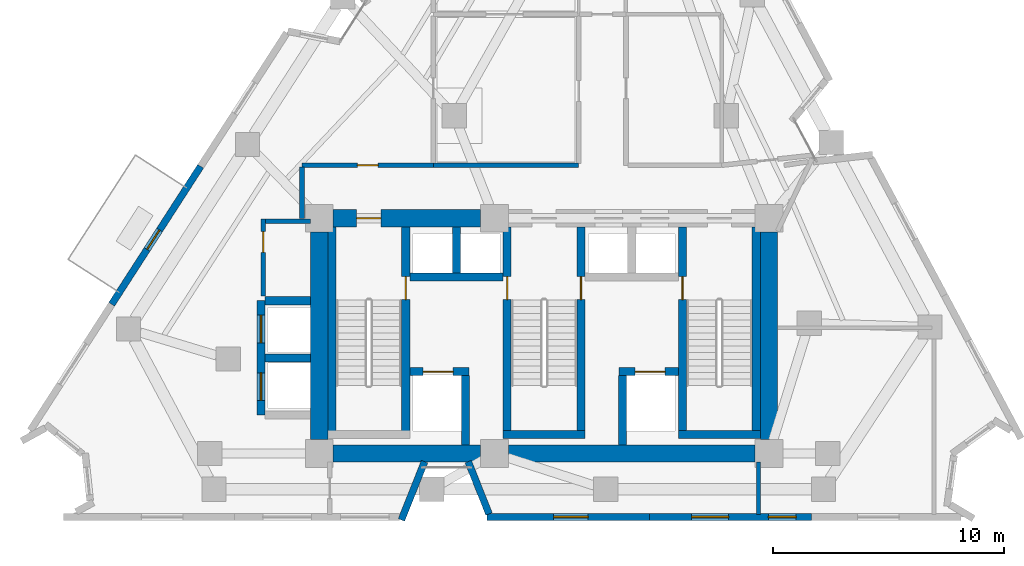
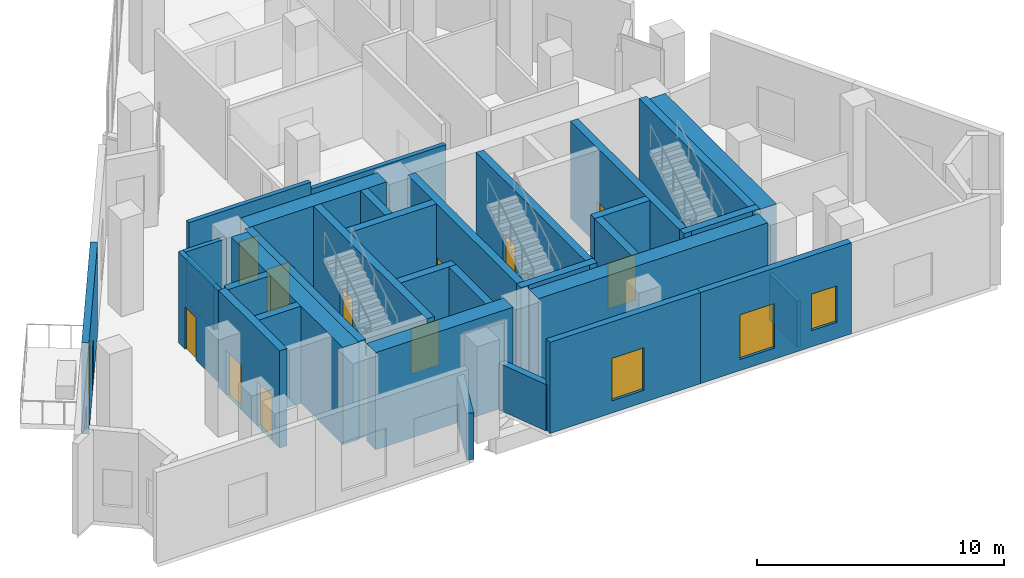
# One storey, part 6 of 10: 33 walls, 12 doors, 3 windows, 15 openings.
"""IFC4 building model written with IfcOpenShell, lengths in metres."""

from ifc_helpers import new_model, si_unit, direction, frame, frame_2d, origin, place, context, subcontext, project, spatial, rectangle, extrude, material, layer, layer_set, type_object, element, fill, save


model = new_model("IFC4")

# Units and contexts
model_context = context("Model", 3, precision=1e-05, world=origin(), true_north=direction((0.0, 1.0)))
body_context = subcontext(model_context, "Body", "Model", "MODEL_VIEW")
ifc_project = project(units=[si_unit("LENGTHUNIT", "METRE"), si_unit("AREAUNIT", "SQUARE_METRE"), si_unit("VOLUMEUNIT", "CUBIC_METRE"), si_unit("PLANEANGLEUNIT", "RADIAN"), si_unit("MASSUNIT", "GRAM", prefix="KILO")], contexts=[model_context])

# Site, building, storey
site_placement = place(None, origin())
site = spatial("IfcSite", under=ifc_project, at=site_placement, CompositionType="ELEMENT")
building_placement = place(site_placement, origin())
building = spatial("IfcBuilding", under=site, at=building_placement, Name="Almagre Mirador Tower", CompositionType="ELEMENT")
storey_placement = place(building_placement, frame((0.0, 0.0, 196.800048828125)))
storey = spatial("IfcBuildingStorey", under=building, at=storey_placement, Name="L51", CompositionType="ELEMENT", Elevation=196.800048828125)

# Wall, openings, windows
ifc_material_1 = material(Name="Precast concrete C50/60", Category="concrete")
ifc_layer_1 = layer(ifc_material_1, 0.300048828125)
ifc_layer_set_1 = layer_set([ifc_layer_1], Name="Precast concrete C50/60")
wall_type_1 = type_object("IfcWallType", Name="WAL-EXT-300", PredefinedType="SOLIDWALL", material=ifc_layer_set_1)
wall_1_placement = place(storey_placement, frame((48.9013671875, 1.800048828125, 0.0), z_axis=(0.0, 0.0, 1.0), x_axis=(-1.0, 0.0, 0.0)))
wall_1 = element("IfcWall", 1, at=wall_1_placement, inside=storey, type_object=wall_type_1, Name="L51 expressed almagre precast frame wall 18", PredefinedType="SOLIDWALL", context=body_context, shape_type="SweptSolid", body=[
    extrude(rectangle(XDim=7.03857421875, YDim=0.300048828125, at=frame_2d((3.519287109375, 0.0))), origin(), (0.0, 0.0, 1.0), 4.5),
])
opening_1_placement = place(wall_1_placement, frame((3.60009765625, 0.0, 0.550048828125)))
opening_1 = element("IfcOpeningElement", 2, at=opening_1_placement, cuts=wall_1, Name="Opening WN-06", PredefinedType="OPENING", context=body_context, shape_type="SweptSolid", body=[
    extrude(rectangle(XDim=1.60009765625, YDim=2.199951171875, at=frame_2d((0.800048828125, 1.10009765625))), frame((0.0, 0.159902, 0.0), z_axis=(0.0, -1.0, 0.0), x_axis=(1.0, 0.0, 0.0)), (0.0, 0.0, 1.0), 0.320049),
])
opening_2_placement = place(wall_1_placement, frame((0.675048828125, 0.0, 0.800048828125)))
opening_2 = element("IfcOpeningElement", 3, at=opening_2_placement, cuts=wall_1, Name="Opening WN-04", PredefinedType="OPENING", context=body_context, shape_type="SweptSolid", body=[
    extrude(rectangle(XDim=1.199951171875, YDim=1.800048828125, at=frame_2d((0.60009765625, 0.89990234375))), frame((0.0, 0.159902, 0.0), z_axis=(0.0, -1.0, 0.0), x_axis=(1.0, 0.0, 0.0)), (0.0, 0.0, 1.0), 0.320049),
])
ifc_material_2 = material(Name="Dark solar-control laminated hurricane glass", Category="glass")
window_type_1 = type_object("IfcWindowType", Name="WIN-1200X1800", PartitioningType="SINGLE_PANEL", PredefinedType="WINDOW", material=ifc_material_2)
window_1_placement = place(opening_2_placement, origin())
window_1 = element("IfcWindow", 4, at=window_1_placement, inside=storey, type_object=window_type_1, Name="L51 recessed hurricane window L51-SCAF-2", OverallHeight=1.800048828125, OverallWidth=1.199951171875, PartitioningType="SINGLE_PANEL", PredefinedType="WINDOW", context=body_context, shape_type="SweptSolid", body=[
    extrude(rectangle(XDim=1.199951171875, YDim=1.800048828125, at=frame_2d((0.60009765625, 0.89990234375))), frame((0.0, 0.030029296875, 0.0), z_axis=(0.0, -1.0, 0.0), x_axis=(1.0, 0.0, 0.0)), (0.0, 0.0, 1.0), 0.06005859375),
])
fill(opening_2, window_1)
ifc_material_3 = material(Name="Dark solar-control laminated hurricane glass", Category="glass")
window_type_2 = type_object("IfcWindowType", Name="WIN-1600X2200", PartitioningType="DOUBLE_PANEL_VERTICAL", PredefinedType="WINDOW", material=ifc_material_3)
window_2_placement = place(opening_1_placement, origin())
window_2 = element("IfcWindow", 5, at=window_2_placement, inside=storey, type_object=window_type_2, Name="L51 recessed hurricane window L51-SCAF", OverallHeight=2.199951171875, OverallWidth=1.60009765625, PartitioningType="SINGLE_PANEL", PredefinedType="WINDOW", context=body_context, shape_type="SweptSolid", body=[
    extrude(rectangle(XDim=1.60009765625, YDim=2.199951171875, at=frame_2d((0.800048828125, 1.10009765625))), frame((0.0, 0.030029296875, 0.0), z_axis=(0.0, -1.0, 0.0), x_axis=(1.0, 0.0, 0.0)), (0.0, 0.0, 1.0), 0.06005859375),
])
fill(opening_1, window_2)

# Wall, opening, window
wall_2_placement = place(storey_placement, frame((41.86279296875, 1.800048828125, 0.0), z_axis=(0.0, 0.0, 1.0), x_axis=(-1.0, 0.0, 0.0)))
wall_2 = element("IfcWall", 6, at=wall_2_placement, inside=storey, type_object=wall_type_1, Name="L51 expressed almagre precast frame wall 19", PredefinedType="SOLIDWALL", context=body_context, shape_type="SweptSolid", body=[
    extrude(rectangle(XDim=7.038818359375, YDim=0.300048828125, at=frame_2d((3.51953125, 0.0))), origin(), (0.0, 0.0, 1.0), 4.5),
])
opening_3_placement = place(wall_2_placement, frame((2.64990234375, 0.0, 0.60009765625)))
opening_3 = element("IfcOpeningElement", 7, at=opening_3_placement, cuts=wall_2, Name="Opening WN-03", PredefinedType="OPENING", context=body_context, shape_type="SweptSolid", body=[
    extrude(rectangle(XDim=1.5, YDim=2.10009765625, at=frame_2d((0.75, 1.050048828125))), frame((0.0, 0.159902, 0.0), z_axis=(0.0, -1.0, 0.0), x_axis=(1.0, 0.0, 0.0)), (0.0, 0.0, 1.0), 0.320049),
])
ifc_material_4 = material(Name="Dark solar-control laminated hurricane glass", Category="glass")
window_type_3 = type_object("IfcWindowType", Name="WIN-1500X2100", PartitioningType="DOUBLE_PANEL_VERTICAL", PredefinedType="WINDOW", material=ifc_material_4)
window_3_placement = place(opening_3_placement, origin())
window_3 = element("IfcWindow", 8, at=window_3_placement, inside=storey, type_object=window_type_3, Name="L51 recessed hurricane window L51-SCAF", OverallHeight=2.10009765625, OverallWidth=1.5, PartitioningType="SINGLE_PANEL", PredefinedType="WINDOW", context=body_context, shape_type="SweptSolid", body=[
    extrude(rectangle(XDim=1.5, YDim=2.10009765625, at=frame_2d((0.75, 1.050048828125))), frame((0.0, 0.030029296875, 0.0), z_axis=(0.0, -1.0, 0.0), x_axis=(1.0, 0.0, 0.0)), (0.0, 0.0, 1.0), 0.06005859375),
])
fill(opening_3, window_3)

# Walls
wall_3_placement = place(storey_placement, frame((34.912109375, 1.93017578125, 0.0), z_axis=(0.0, 0.0, 1.0), x_axis=(-0.369476217581, 0.929240186734, 0.0)))
element("IfcWall", 9, at=wall_3_placement, inside=storey, type_object=wall_type_1, Name="L51 expressed almagre precast frame wall 20", PredefinedType="SOLIDWALL", context=body_context, shape_type="SweptSolid", body=[
    extrude(rectangle(XDim=2.441650390625, YDim=0.300048828125, at=frame_2d((1.220703125, 0.0))), origin(), (0.0, 0.0, 1.0), 2.300048828125),
])
wall_4_placement = place(storey_placement, frame((32.117919921875, 4.198974609375, 0.0), z_axis=(0.0, 0.0, 1.0), x_axis=(-0.369487569888, -0.929235672851, 0.0)))
element("IfcWall", 10, at=wall_4_placement, inside=storey, type_object=wall_type_1, Name="L51 expressed almagre precast frame wall 21", PredefinedType="SOLIDWALL", context=body_context, shape_type="SweptSolid", body=[
    extrude(rectangle(XDim=2.7216796875, YDim=0.300048828125, at=frame_2d((1.36083984375, 0.0))), origin(), (0.0, 0.0, 1.0), 2.300048828125),
])

# Wall, opening, door
wall_5_placement = place(storey_placement, frame((18.549072265625, 11.023193359375, 0.0), z_axis=(0.0, 0.0, 1.0), x_axis=(0.542031523986, 0.840358154006, 0.0)))
wall_5 = element("IfcWall", 11, at=wall_5_placement, inside=storey, type_object=wall_type_1, Name="L51 expressed almagre precast frame wall 29", PredefinedType="SOLIDWALL", context=body_context, shape_type="SweptSolid", body=[
    extrude(rectangle(XDim=7.11572265625, YDim=0.300048828125, at=frame_2d((3.557861328125, 0.0))), origin(), (0.0, 0.0, 1.0), 4.5),
])
opening_4_placement = place(wall_5_placement, frame((2.827880859375, 0.0, 0.0)))
opening_4 = element("IfcOpeningElement", 12, at=opening_4_placement, cuts=wall_5, Name="Opening BD-01", PredefinedType="OPENING", context=body_context, shape_type="SweptSolid", body=[
    extrude(rectangle(XDim=1.0, YDim=2.199951171875, at=frame_2d((0.5, 1.10009765625))), frame((0.0, 0.159902, 0.0), z_axis=(0.0, -1.0, 0.0), x_axis=(1.0, 0.0, 0.0)), (0.0, 0.0, 1.0), 0.320049),
])
ifc_material_5 = material(Name="Black anodized aluminium and laminated glass", Category="aluminium")
door_type_1 = type_object("IfcDoorType", Name="DOR-BAL-1000X2200", OperationType="NOTDEFINED", PredefinedType="DOOR", material=ifc_material_5)
door_1_placement = place(opening_4_placement, origin())
door_1 = element("IfcDoor", 13, at=door_1_placement, inside=storey, type_object=door_type_1, Name="DR-1597 L51 west balcony glazed door 2", OperationType="SINGLE_SWING_LEFT", OverallHeight=2.199951171875, OverallWidth=1.0, PredefinedType="DOOR", context=body_context, shape_type="SweptSolid", body=[
    extrude(rectangle(XDim=1.0, YDim=2.199951171875, at=frame_2d((0.5, 1.10009765625))), frame((0.0, 0.02490234375, 0.0), z_axis=(0.0, -1.0, 0.0), x_axis=(1.0, 0.0, 0.0)), (0.0, 0.0, 1.0), 0.050048828125),
])
fill(opening_4, door_1)

# Wall
ifc_material_6 = material(Name="Gypsum acoustic stud partition", Category="other")
ifc_layer_2 = layer(ifc_material_6, 0.175048828125)
ifc_layer_set_2 = layer_set([ifc_layer_2], Name="Gypsum acoustic stud partition")
wall_type_2 = type_object("IfcWallType", Name="WAL-PRT-175-AC", PredefinedType="PARTITIONING", material=ifc_layer_set_2)
wall_6_placement = place(storey_placement, frame((46.60009765625, 1.89990234375, 0.0), z_axis=(0.0, 0.0, 1.0), x_axis=(0.0, 1.0, 0.0)))
element("IfcWall", 14, at=wall_6_placement, inside=storey, type_object=wall_type_2, Name="L51 interior partition 012", PredefinedType="PARTITIONING", context=body_context, shape_type="SweptSolid", body=[
    extrude(rectangle(XDim=2.280029296875, YDim=0.175048828125, at=frame_2d((1.14013671875, 0.0))), origin(), (0.0, 0.0, 1.0), 2.27001953125),
])

# Wall, opening, door
ifc_material_7 = material(Name="Gypsum acoustic stud partition", Category="other")
ifc_layer_3 = layer(ifc_material_7, 0.199951171875)
ifc_layer_set_3 = layer_set([ifc_layer_3], Name="Gypsum acoustic stud partition")
wall_type_3 = type_object("IfcWallType", Name="WAL-PRT-200-EI60", PredefinedType="PARTITIONING", material=ifc_layer_set_3)
wall_7_placement = place(storey_placement, frame((25.1201171875, 11.3701171875, 0.0), z_axis=(0.0, 0.0, 1.0), x_axis=(0.0, 1.0, 0.0)))
wall_7 = element("IfcWall", 15, at=wall_7_placement, inside=storey, type_object=wall_type_3, Name="L51 core ancillary west wall", PredefinedType="PARTITIONING", context=body_context, shape_type="SweptSolid", body=[
    extrude(rectangle(XDim=3.33984375, YDim=0.199951171875, at=frame_2d((1.669921875, 0.0))), origin(), (0.0, 0.0, 1.0), 4.5),
])
opening_5_placement = place(wall_7_placement, frame((1.89990234375, 0.0, 0.0)))
opening_5 = element("IfcOpeningElement", 16, at=opening_5_placement, cuts=wall_7, Name="Opening ID-03", PredefinedType="OPENING", context=body_context, shape_type="SweptSolid", body=[
    extrude(rectangle(XDim=0.89990234375, YDim=2.10009765625, at=frame_2d((0.449951171875, 1.050048828125))), frame((0.0, 0.110098, 0.0), z_axis=(0.0, -1.0, 0.0), x_axis=(1.0, 0.0, 0.0)), (0.0, 0.0, 1.0), 0.219951),
])
ifc_material_8 = material(Name="Fire-rated hollow steel", Category="steel")
door_type_2 = type_object("IfcDoorType", Name="DOR-FD60-900X2100", OperationType="NOTDEFINED", PredefinedType="DOOR", material=ifc_material_8)
door_2_placement = place(opening_5_placement, origin())
door_2 = element("IfcDoor", 17, at=door_2_placement, inside=storey, type_object=door_type_2, Name="DR-1598 L51 core ancillary corridor door", OperationType="SINGLE_SWING_RIGHT", OverallHeight=2.10009765625, OverallWidth=0.89990234375, PredefinedType="DOOR", context=body_context, shape_type="SweptSolid", body=[
    extrude(rectangle(XDim=0.89990234375, YDim=2.10009765625, at=frame_2d((0.449951171875, 1.050048828125))), frame((0.0, 0.02490234375, 0.0), z_axis=(0.0, -1.0, 0.0), x_axis=(1.0, 0.0, 0.0)), (0.0, 0.0, 1.0), 0.050048828125),
])
fill(opening_5, door_2)

# Walls
wall_8_placement = place(storey_placement, frame((25.22509765625, 14.6201171875, 0.0), z_axis=(0.0, 0.0, 1.0), x_axis=(1.0, 0.0, 0.0)))
element("IfcWall", 18, at=wall_8_placement, inside=storey, type_object=wall_type_3, Name="L51 core ancillary north wall", PredefinedType="PARTITIONING", context=body_context, shape_type="SweptSolid", body=[
    extrude(rectangle(XDim=1.934814453125, YDim=0.199951171875, at=frame_2d((0.96728515625, 0.0))), origin(), (0.0, 0.0, 1.0), 4.5),
])
wall_9_placement = place(storey_placement, frame((32.5, 17.050048828125, 0.0), z_axis=(0.0, 0.0, 1.0), x_axis=(1.0, 0.0, 0.0)))
element("IfcWall", 19, at=wall_9_placement, inside=storey, type_object=wall_type_3, Name="L51 interior partition 017", PredefinedType="PARTITIONING", context=body_context, shape_type="SweptSolid", body=[
    extrude(rectangle(XDim=6.300048828125, YDim=0.199951171875, at=frame_2d((3.14990234375, 0.0))), origin(), (0.0, 0.0, 1.0), 3.5859375),
])

# Wall, opening, door
wall_10_placement = place(storey_placement, frame((32.5, 17.050048828125, 0.0), z_axis=(0.0, 0.0, 1.0), x_axis=(-1.0, 0.0, 0.0)))
wall_10 = element("IfcWall", 20, at=wall_10_placement, inside=storey, type_object=wall_type_3, Name="L51 interior partition 022", PredefinedType="PARTITIONING", context=body_context, shape_type="SweptSolid", body=[
    extrude(rectangle(XDim=5.699951171875, YDim=0.199951171875, at=frame_2d((2.85009765625, 0.0))), origin(), (0.0, 0.0, 1.0), 3.93701171875),
])
opening_6_placement = place(wall_10_placement, frame((2.39990234375, 0.0, 0.0)))
opening_6 = element("IfcOpeningElement", 21, at=opening_6_placement, cuts=wall_10, Name="Opening ID-03", PredefinedType="OPENING", context=body_context, shape_type="SweptSolid", body=[
    extrude(rectangle(XDim=0.89990234375, YDim=2.10009765625, at=frame_2d((0.449951171875, 1.050048828125))), frame((0.0, 0.110098, 0.0), z_axis=(0.0, -1.0, 0.0), x_axis=(1.0, 0.0, 0.0)), (0.0, 0.0, 1.0), 0.219951),
])
door_3_placement = place(opening_6_placement, origin())
door_3 = element("IfcDoor", 22, at=door_3_placement, inside=storey, type_object=door_type_2, Name="DR-1608 L51 interior door L51-SCOR to L51-SLOB-2", OperationType="SINGLE_SWING_RIGHT", OverallHeight=2.10009765625, OverallWidth=0.89990234375, PredefinedType="DOOR", context=body_context, shape_type="SweptSolid", body=[
    extrude(rectangle(XDim=0.89990234375, YDim=2.10009765625, at=frame_2d((0.449951171875, 1.050048828125))), frame((0.0, 0.02490234375, 0.0), z_axis=(0.0, -1.0, 0.0), x_axis=(1.0, 0.0, 0.0)), (0.0, 0.0, 1.0), 0.050048828125),
])
fill(opening_6, door_3)

# Walls
wall_11_placement = place(storey_placement, frame((26.800048828125, 16.965087890625, 0.0), z_axis=(0.0, 0.0, 1.0), x_axis=(0.0, -1.0, 0.0)))
element("IfcWall", 23, at=wall_11_placement, inside=storey, type_object=wall_type_3, Name="L51 interior partition 023", PredefinedType="PARTITIONING", context=body_context, shape_type="SweptSolid", body=[
    extrude(rectangle(XDim=2.215087890625, YDim=0.199951171875, at=frame_2d((1.107421875, 0.0))), origin(), (0.0, 0.0, 1.0), 2.27001953125),
])
ifc_material_9 = material(Name="Concrete C60/75", Category="concrete")
ifc_layer_4 = layer(ifc_material_9, 0.35009765625)
ifc_layer_set_4 = layer_set([ifc_layer_4], Name="Concrete C60/75")
wall_type_4 = type_object("IfcWallType", Name="WAL-SHF-350", PredefinedType="SOLIDWALL", material=ifc_layer_set_4)
wall_12_placement = place(storey_placement, frame((28.10009765625, 5.199951171875, 0.0), z_axis=(0.0, 0.0, 1.0), x_axis=(0.0, 1.0, 0.0)))
element("IfcWall", 24, at=wall_12_placement, inside=storey, type_object=wall_type_4, Name="L51 shaft wall ST1-W", PredefinedType="SOLIDWALL", context=body_context, shape_type="SweptSolid", body=[
    extrude(rectangle(XDim=9.175048828125, YDim=0.35009765625, at=frame_2d((4.58740234375, 0.0))), origin(), (0.0, 0.0, 1.0), 4.800048828125),
])

# Wall, opening, door
wall_13_placement = place(storey_placement, frame((31.300048828125, 5.199951171875, 0.0), z_axis=(0.0, 0.0, 1.0), x_axis=(0.0, 1.0, 0.0)))
wall_13 = element("IfcWall", 25, at=wall_13_placement, inside=storey, type_object=wall_type_4, Name="L51 shaft wall ST1-E", PredefinedType="SOLIDWALL", context=body_context, shape_type="SweptSolid", body=[
    extrude(rectangle(XDim=9.175048828125, YDim=0.35009765625, at=frame_2d((4.58740234375, 0.0))), origin(), (0.0, 0.0, 1.0), 4.800048828125),
])
opening_7_placement = place(wall_13_placement, frame((6.02001953125, 0.0, 0.0)))
opening_7 = element("IfcOpeningElement", 26, at=opening_7_placement, cuts=wall_13, Name="Opening FD-01", PredefinedType="OPENING", context=body_context, shape_type="SweptSolid", body=[
    extrude(rectangle(XDim=1.0, YDim=2.14990234375, at=frame_2d((0.5, 1.074951171875))), frame((0.0, 0.185049, 0.0), z_axis=(0.0, -1.0, 0.0), x_axis=(1.0, 0.0, 0.0)), (0.0, 0.0, 1.0), 0.370098),
])
ifc_material_10 = material(Name="Fire-rated hollow steel", Category="steel")
door_type_3 = type_object("IfcDoorType", Name="DOR-FFL-1000X2150", OperationType="NOTDEFINED", PredefinedType="DOOR", material=ifc_material_10)
door_4_placement = place(opening_7_placement, origin())
door_4 = element("IfcDoor", 27, at=door_4_placement, inside=storey, type_object=door_type_3, Name="DR-1599 L51 FFL1-ST1 smokeproof door", OperationType="SINGLE_SWING_RIGHT", OverallHeight=2.14990234375, OverallWidth=1.0, PredefinedType="DOOR", context=body_context, shape_type="SweptSolid", body=[
    extrude(rectangle(XDim=1.0, YDim=2.14990234375, at=frame_2d((0.5, 1.074951171875))), frame((0.0, 0.02490234375, 0.0), z_axis=(0.0, -1.0, 0.0), x_axis=(1.0, 0.0, 0.0)), (0.0, 0.0, 1.0), 0.050048828125),
])
fill(opening_7, door_4)

wall_14_placement = place(storey_placement, frame((35.699951171875, 5.199951171875, 0.0), z_axis=(0.0, 0.0, 1.0), x_axis=(0.0, 1.0, 0.0)))
wall_14 = element("IfcWall", 28, at=wall_14_placement, inside=storey, type_object=wall_type_4, Name="L51 shaft wall ST2-W", PredefinedType="SOLIDWALL", context=body_context, shape_type="SweptSolid", body=[
    extrude(rectangle(XDim=9.175048828125, YDim=0.35009765625, at=frame_2d((4.58740234375, 0.0))), origin(), (0.0, 0.0, 1.0), 4.800048828125),
])
opening_8_placement = place(wall_14_placement, frame((6.02001953125, 0.0, 0.0)))
opening_8 = element("IfcOpeningElement", 29, at=opening_8_placement, cuts=wall_14, Name="Opening FD-01", PredefinedType="OPENING", context=body_context, shape_type="SweptSolid", body=[
    extrude(rectangle(XDim=1.0, YDim=2.14990234375, at=frame_2d((0.5, 1.074951171875))), frame((0.0, 0.185049, 0.0), z_axis=(0.0, -1.0, 0.0), x_axis=(1.0, 0.0, 0.0)), (0.0, 0.0, 1.0), 0.370098),
])
door_5_placement = place(opening_8_placement, origin())
door_5 = element("IfcDoor", 30, at=door_5_placement, inside=storey, type_object=door_type_3, Name="DR-1600 L51 FFL1-ST2 smokeproof door", OperationType="SINGLE_SWING_LEFT", OverallHeight=2.14990234375, OverallWidth=1.0, PredefinedType="DOOR", context=body_context, shape_type="SweptSolid", body=[
    extrude(rectangle(XDim=1.0, YDim=2.14990234375, at=frame_2d((0.5, 1.074951171875))), frame((0.0, 0.02490234375, 0.0), z_axis=(0.0, -1.0, 0.0), x_axis=(1.0, 0.0, 0.0)), (0.0, 0.0, 1.0), 0.050048828125),
])
fill(opening_8, door_5)

wall_15_placement = place(storey_placement, frame((38.89990234375, 5.199951171875, 0.0), z_axis=(0.0, 0.0, 1.0), x_axis=(0.0, 1.0, 0.0)))
wall_15 = element("IfcWall", 31, at=wall_15_placement, inside=storey, type_object=wall_type_4, Name="L51 shaft wall ST2-E", PredefinedType="SOLIDWALL", context=body_context, shape_type="SweptSolid", body=[
    extrude(rectangle(XDim=9.175048828125, YDim=0.35009765625, at=frame_2d((4.58740234375, 0.0))), origin(), (0.0, 0.0, 1.0), 4.800048828125),
])
opening_9_placement = place(wall_15_placement, frame((6.02001953125, 0.0, 0.0)))
opening_9 = element("IfcOpeningElement", 32, at=opening_9_placement, cuts=wall_15, Name="Opening FD-01", PredefinedType="OPENING", context=body_context, shape_type="SweptSolid", body=[
    extrude(rectangle(XDim=1.0, YDim=2.14990234375, at=frame_2d((0.5, 1.074951171875))), frame((0.0, 0.185049, 0.0), z_axis=(0.0, -1.0, 0.0), x_axis=(1.0, 0.0, 0.0)), (0.0, 0.0, 1.0), 0.370098),
])
door_6_placement = place(opening_9_placement, origin())
door_6 = element("IfcDoor", 33, at=door_6_placement, inside=storey, type_object=door_type_3, Name="DR-1601 L51 FFL2-ST2 smokeproof door", OperationType="SINGLE_SWING_RIGHT", OverallHeight=2.14990234375, OverallWidth=1.0, PredefinedType="DOOR", context=body_context, shape_type="SweptSolid", body=[
    extrude(rectangle(XDim=1.0, YDim=2.14990234375, at=frame_2d((0.5, 1.074951171875))), frame((0.0, 0.02490234375, 0.0), z_axis=(0.0, -1.0, 0.0), x_axis=(1.0, 0.0, 0.0)), (0.0, 0.0, 1.0), 0.050048828125),
])
fill(opening_9, door_6)

# Wall
wall_16_placement = place(storey_placement, frame((35.52490234375, 5.375, 0.0), z_axis=(0.0, 0.0, 1.0), x_axis=(1.0, 0.0, 0.0)))
element("IfcWall", 34, at=wall_16_placement, inside=storey, type_object=wall_type_4, Name="L51 shaft wall ST2-S", PredefinedType="SOLIDWALL", context=body_context, shape_type="SweptSolid", body=[
    extrude(rectangle(XDim=3.550048828125, YDim=0.35009765625, at=frame_2d((1.77490234375, 0.0))), origin(), (0.0, 0.0, 1.0), 4.800048828125),
])

# Wall, opening, door
wall_17_placement = place(storey_placement, frame((43.300048828125, 5.199951171875, 0.0), z_axis=(0.0, 0.0, 1.0), x_axis=(0.0, 1.0, 0.0)))
wall_17 = element("IfcWall", 35, at=wall_17_placement, inside=storey, type_object=wall_type_4, Name="L51 shaft wall ST3-W", PredefinedType="SOLIDWALL", context=body_context, shape_type="SweptSolid", body=[
    extrude(rectangle(XDim=9.175048828125, YDim=0.35009765625, at=frame_2d((4.58740234375, 0.0))), origin(), (0.0, 0.0, 1.0), 4.800048828125),
])
opening_10_placement = place(wall_17_placement, frame((6.02001953125, 0.0, 0.0)))
opening_10 = element("IfcOpeningElement", 36, at=opening_10_placement, cuts=wall_17, Name="Opening FD-01", PredefinedType="OPENING", context=body_context, shape_type="SweptSolid", body=[
    extrude(rectangle(XDim=1.0, YDim=2.14990234375, at=frame_2d((0.5, 1.074951171875))), frame((0.0, 0.185049, 0.0), z_axis=(0.0, -1.0, 0.0), x_axis=(1.0, 0.0, 0.0)), (0.0, 0.0, 1.0), 0.370098),
])
door_7_placement = place(opening_10_placement, origin())
door_7 = element("IfcDoor", 37, at=door_7_placement, inside=storey, type_object=door_type_3, Name="DR-1602 L51 FFL2-ST3 smokeproof door", OperationType="SINGLE_SWING_LEFT", OverallHeight=2.14990234375, OverallWidth=1.0, PredefinedType="DOOR", context=body_context, shape_type="SweptSolid", body=[
    extrude(rectangle(XDim=1.0, YDim=2.14990234375, at=frame_2d((0.5, 1.074951171875))), frame((0.0, 0.02490234375, 0.0), z_axis=(0.0, -1.0, 0.0), x_axis=(1.0, 0.0, 0.0)), (0.0, 0.0, 1.0), 0.050048828125),
])
fill(opening_10, door_7)

# Walls
wall_18_placement = place(storey_placement, frame((46.5, 5.199951171875, 0.0), z_axis=(0.0, 0.0, 1.0), x_axis=(0.0, 1.0, 0.0)))
element("IfcWall", 38, at=wall_18_placement, inside=storey, type_object=wall_type_4, Name="L51 shaft wall ST3-E", PredefinedType="SOLIDWALL", context=body_context, shape_type="SweptSolid", body=[
    extrude(rectangle(XDim=9.175048828125, YDim=0.35009765625, at=frame_2d((4.58740234375, 0.0))), origin(), (0.0, 0.0, 1.0), 4.800048828125),
])
wall_19_placement = place(storey_placement, frame((43.125, 5.375, 0.0), z_axis=(0.0, 0.0, 1.0), x_axis=(1.0, 0.0, 0.0)))
element("IfcWall", 39, at=wall_19_placement, inside=storey, type_object=wall_type_4, Name="L51 shaft wall ST3-S", PredefinedType="SOLIDWALL", context=body_context, shape_type="SweptSolid", body=[
    extrude(rectangle(XDim=3.550048828125, YDim=0.35009765625, at=frame_2d((1.77490234375, 0.0))), origin(), (0.0, 0.0, 1.0), 4.800048828125),
])

# Wall, opening, door
wall_20_placement = place(storey_placement, frame((31.47509765625, 8.10009765625, 0.0), z_axis=(0.0, 0.0, 1.0), x_axis=(1.0, 0.0, 0.0)))
wall_20 = element("IfcWall", 40, at=wall_20_placement, inside=storey, type_object=wall_type_4, Name="L51 shaft wall FSAE1-N", PredefinedType="SOLIDWALL", context=body_context, shape_type="SweptSolid", body=[
    extrude(rectangle(XDim=2.574951171875, YDim=0.35009765625, at=frame_2d((1.28759765625, 0.0))), origin(), (0.0, 0.0, 1.0), 4.800048828125),
])
opening_11_placement = place(wall_20_placement, frame((0.574951171875, 0.0, 0.0)))
opening_11 = element("IfcOpeningElement", 41, at=opening_11_placement, cuts=wall_20, Name="Opening LD-03", PredefinedType="OPENING", context=body_context, shape_type="SweptSolid", body=[
    extrude(rectangle(XDim=1.300048828125, YDim=2.25, at=frame_2d((0.64990234375, 1.125))), frame((0.0, 0.185049, 0.0), z_axis=(0.0, -1.0, 0.0), x_axis=(1.0, 0.0, 0.0)), (0.0, 0.0, 1.0), 0.370098),
])
ifc_material_11 = material(Name="Hollow stainless steel", Category="steel")
door_type_4 = type_object("IfcDoorType", Name="DOR-LD-1300X2250", OperationType="DOUBLE_DOOR_SLIDING", PredefinedType="DOOR", material=ifc_material_11)
door_8_placement = place(opening_11_placement, origin())
door_8 = element("IfcDoor", 42, at=door_8_placement, inside=storey, type_object=door_type_4, Name="DR-1614 L51 FSAE-1 lift landing door", OperationType="DOUBLE_DOOR_SLIDING", OverallHeight=2.25, OverallWidth=1.300048828125, PredefinedType="DOOR", context=body_context, shape_type="SweptSolid", body=[
    extrude(rectangle(XDim=1.300048828125, YDim=2.25, at=frame_2d((0.64990234375, 1.125))), frame((0.0, 0.02490234375, 0.0), z_axis=(0.0, -1.0, 0.0), x_axis=(1.0, 0.0, 0.0)), (0.0, 0.0, 1.0), 0.050048828125),
])
fill(opening_11, door_8)

wall_21_placement = place(storey_placement, frame((40.550048828125, 8.10009765625, 0.0), z_axis=(0.0, 0.0, 1.0), x_axis=(1.0, 0.0, 0.0)))
wall_21 = element("IfcWall", 43, at=wall_21_placement, inside=storey, type_object=wall_type_4, Name="L51 shaft wall FSAE2-N", PredefinedType="SOLIDWALL", context=body_context, shape_type="SweptSolid", body=[
    extrude(rectangle(XDim=2.574951171875, YDim=0.35009765625, at=frame_2d((1.28759765625, 0.0))), origin(), (0.0, 0.0, 1.0), 4.800048828125),
])
opening_12_placement = place(wall_21_placement, frame((0.699951171875, 0.0, 0.0)))
opening_12 = element("IfcOpeningElement", 44, at=opening_12_placement, cuts=wall_21, Name="Opening LD-03", PredefinedType="OPENING", context=body_context, shape_type="SweptSolid", body=[
    extrude(rectangle(XDim=1.300048828125, YDim=2.25, at=frame_2d((0.64990234375, 1.125))), frame((0.0, 0.185049, 0.0), z_axis=(0.0, -1.0, 0.0), x_axis=(1.0, 0.0, 0.0)), (0.0, 0.0, 1.0), 0.370098),
])
door_9_placement = place(opening_12_placement, origin())
door_9 = element("IfcDoor", 45, at=door_9_placement, inside=storey, type_object=door_type_4, Name="DR-1615 L51 FSAE-2 lift landing door", OperationType="DOUBLE_DOOR_SLIDING", OverallHeight=2.25, OverallWidth=1.300048828125, PredefinedType="DOOR", context=body_context, shape_type="SweptSolid", body=[
    extrude(rectangle(XDim=1.300048828125, YDim=2.25, at=frame_2d((0.64990234375, 1.125))), frame((0.0, 0.02490234375, 0.0), z_axis=(0.0, -1.0, 0.0), x_axis=(1.0, 0.0, 0.0)), (0.0, 0.0, 1.0), 0.050048828125),
])
fill(opening_12, door_9)

# Walls
for number, where, z_axis, x_axis, name in (
    (46, (33.89990234375, 4.925048828125, 0.0), (0.0, 0.0, 1.0), (0.0, 1.0, 0.0), "L51 shaft wall FSAE1-E"),
    (47, (40.699951171875, 4.925048828125, 0.0), (0.0, 0.0, 1.0), (0.0, 1.0, 0.0), "L51 shaft wall FSAE2-W"),
):
    element("IfcWall", number, at=place(storey_placement, frame(where, z_axis=z_axis, x_axis=x_axis)), inside=storey, type_object=wall_type_4, Name=name, PredefinedType="SOLIDWALL", context=body_context, shape_type="SweptSolid", body=[
        extrude(rectangle(XDim=3.0, YDim=0.35009765625, at=frame_2d((1.5, 0.0))), origin(), (0.0, 0.0, 1.0), 4.800048828125),
    ])
wall_22_placement = place(storey_placement, frame((31.47509765625, 12.199951171875, 0.0), z_axis=(0.0, 0.0, 1.0), x_axis=(1.0, 0.0, 0.0)))
element("IfcWall", 48, at=wall_22_placement, inside=storey, type_object=wall_type_4, Name="L51 shaft wall PLM-S", PredefinedType="SOLIDWALL", context=body_context, shape_type="SweptSolid", body=[
    extrude(rectangle(XDim=4.0498046875, YDim=0.35009765625, at=frame_2d((2.02490234375, 0.0))), origin(), (0.0, 0.0, 1.0), 4.800048828125),
])
wall_23_placement = place(storey_placement, frame((33.5, 12.375, 0.0), z_axis=(0.0, 0.0, 1.0), x_axis=(0.0, 1.0, 0.0)))
element("IfcWall", 49, at=wall_23_placement, inside=storey, type_object=wall_type_4, Name="L51 shaft wall PLM-M", PredefinedType="SOLIDWALL", context=body_context, shape_type="SweptSolid", body=[
    extrude(rectangle(XDim=2.0, YDim=0.35009765625, at=frame_2d((1.0, 0.0))), origin(), (0.0, 0.0, 1.0), 4.800048828125),
])

# Wall, openings, doors
wall_24_placement = place(storey_placement, frame((25.02490234375, 6.22509765625, 0.0), z_axis=(0.0, 0.0, 1.0), x_axis=(0.0, 1.0, 0.0)))
wall_24 = element("IfcWall", 50, at=wall_24_placement, inside=storey, type_object=wall_type_4, Name="L51 shaft wall OL-W", PredefinedType="SOLIDWALL", context=body_context, shape_type="SweptSolid", body=[
    extrude(rectangle(XDim=4.949951171875, YDim=0.35009765625, at=frame_2d((2.47509765625, 0.0))), origin(), (0.0, 0.0, 1.0), 4.800048828125),
])
opening_13_placement = place(wall_24_placement, frame((0.625, 0.0, 0.0)))
opening_13 = element("IfcOpeningElement", 51, at=opening_13_placement, cuts=wall_24, Name="Opening LD-02", PredefinedType="OPENING", context=body_context, shape_type="SweptSolid", body=[
    extrude(rectangle(XDim=1.199951171875, YDim=2.199951171875, at=frame_2d((0.60009765625, 1.10009765625))), frame((0.0, 0.185049, 0.0), z_axis=(0.0, -1.0, 0.0), x_axis=(1.0, 0.0, 0.0)), (0.0, 0.0, 1.0), 0.370098),
])
opening_14_placement = place(wall_24_placement, frame((3.125, 0.0, 0.0)))
opening_14 = element("IfcOpeningElement", 52, at=opening_14_placement, cuts=wall_24, Name="Opening LD-02", PredefinedType="OPENING", context=body_context, shape_type="SweptSolid", body=[
    extrude(rectangle(XDim=1.199951171875, YDim=2.199951171875, at=frame_2d((0.60009765625, 1.10009765625))), frame((0.0, 0.185049, 0.0), z_axis=(0.0, -1.0, 0.0), x_axis=(1.0, 0.0, 0.0)), (0.0, 0.0, 1.0), 0.370098),
])
ifc_material_12 = material(Name="Hollow stainless steel", Category="steel")
door_type_5 = type_object("IfcDoorType", Name="DOR-LD-1200X2200", OperationType="DOUBLE_DOOR_SLIDING", PredefinedType="DOOR", material=ifc_material_12)
door_10_placement = place(opening_13_placement, origin())
door_10 = element("IfcDoor", 53, at=door_10_placement, inside=storey, type_object=door_type_5, Name="DR-1616 L51 OL-1 express shuttle landing door", OperationType="DOUBLE_DOOR_SLIDING", OverallHeight=2.199951171875, OverallWidth=1.199951171875, PredefinedType="DOOR", context=body_context, shape_type="SweptSolid", body=[
    extrude(rectangle(XDim=1.199951171875, YDim=2.199951171875, at=frame_2d((0.60009765625, 1.10009765625))), frame((0.0, 0.02490234375, 0.0), z_axis=(0.0, -1.0, 0.0), x_axis=(1.0, 0.0, 0.0)), (0.0, 0.0, 1.0), 0.050048828125),
])
fill(opening_13, door_10)
door_11_placement = place(opening_14_placement, origin())
door_11 = element("IfcDoor", 54, at=door_11_placement, inside=storey, type_object=door_type_5, Name="DR-1617 L51 OL-2 express shuttle landing door", OperationType="DOUBLE_DOOR_SLIDING", OverallHeight=2.199951171875, OverallWidth=1.199951171875, PredefinedType="DOOR", context=body_context, shape_type="SweptSolid", body=[
    extrude(rectangle(XDim=1.199951171875, YDim=2.199951171875, at=frame_2d((0.60009765625, 1.10009765625))), frame((0.0, 0.02490234375, 0.0), z_axis=(0.0, -1.0, 0.0), x_axis=(1.0, 0.0, 0.0)), (0.0, 0.0, 1.0), 0.050048828125),
])
fill(opening_14, door_11)

# Walls
for number, where, z_axis, x_axis, name in (
    (55, (25.199951171875, 8.699951171875, 0.0), (0.0, 0.0, 1.0), (1.0, 0.0, 0.0), "L51 shaft wall OL-M"),
    (56, (25.199951171875, 11.175048828125, 0.0), (0.0, 0.0, 1.0), (1.0, 0.0, 0.0), "L51 shaft wall OL-N"),
):
    element("IfcWall", number, at=place(storey_placement, frame(where, z_axis=z_axis, x_axis=x_axis)), inside=storey, type_object=wall_type_4, Name=name, PredefinedType="SOLIDWALL", context=body_context, shape_type="SweptSolid", body=[
        extrude(rectangle(XDim=1.97509765625, YDim=0.35009765625, at=frame_2d((0.987548828125, 0.0))), origin(), (0.0, 0.0, 1.0), 4.800048828125),
    ])
ifc_material_13 = material(Name="Concrete C60/75", Category="concrete")
ifc_layer_5 = layer(ifc_material_13, 0.75)
ifc_layer_set_5 = layer_set([ifc_layer_5], Name="Concrete C60/75")
wall_type_5 = type_object("IfcWallType", Name="WAL-SHR-750", PredefinedType="SHEAR", material=ifc_layer_set_5)
wall_25_placement = place(storey_placement, frame((28.14990234375, 4.550048828125, 0.0), z_axis=(0.0, 0.0, 1.0), x_axis=(1.0, 0.0, 0.0)))
element("IfcWall", 57, at=wall_25_placement, inside=storey, type_object=wall_type_5, Name="L51 core shear wall S1", PredefinedType="SHEAR", context=body_context, shape_type="SweptSolid", body=[
    extrude(rectangle(XDim=6.400146484375, YDim=0.75, at=frame_2d((3.2001953125, 0.0))), origin(), (0.0, 0.0, 1.0), 4.800048828125),
])
wall_26_placement = place(storey_placement, frame((35.75, 4.550048828125, 0.0), z_axis=(0.0, 0.0, 1.0), x_axis=(1.0, 0.0, 0.0)))
element("IfcWall", 58, at=wall_26_placement, inside=storey, type_object=wall_type_5, Name="L51 core shear wall S2", PredefinedType="SHEAR", context=body_context, shape_type="SweptSolid", body=[
    extrude(rectangle(XDim=10.699951171875, YDim=0.75, at=frame_2d((5.35009765625, 0.0))), origin(), (0.0, 0.0, 1.0), 4.800048828125),
])

# Wall, opening, door
wall_27_placement = place(storey_placement, frame((28.14990234375, 14.75, 0.0), z_axis=(0.0, 0.0, 1.0), x_axis=(1.0, 0.0, 0.0)))
wall_27 = element("IfcWall", 59, at=wall_27_placement, inside=storey, type_object=wall_type_5, Name="L51 core shear wall N1", PredefinedType="SHEAR", context=body_context, shape_type="SweptSolid", body=[
    extrude(rectangle(XDim=6.400146484375, YDim=0.75, at=frame_2d((3.2001953125, 0.0))), origin(), (0.0, 0.0, 1.0), 4.800048828125),
])
opening_15_placement = place(wall_27_placement, frame((1.02490234375, 0.0, 0.0)))
opening_15 = element("IfcOpeningElement", 60, at=opening_15_placement, cuts=wall_27, Name="Opening SD-01", PredefinedType="OPENING", context=body_context, shape_type="SweptSolid", body=[
    extrude(rectangle(XDim=1.050048828125, YDim=2.14990234375, at=frame_2d((0.52490234375, 1.074951171875))), frame((0.0, 0.385, 0.0), z_axis=(0.0, -1.0, 0.0), x_axis=(1.0, 0.0, 0.0)), (0.0, 0.0, 1.0), 0.77),
])
ifc_material_14 = material(Name="Fire-rated hollow steel", Category="steel")
door_type_6 = type_object("IfcDoorType", Name="DOR-ST-1050X2150", OperationType="NOTDEFINED", PredefinedType="DOOR", material=ifc_material_14)
door_12_placement = place(opening_15_placement, origin())
door_12 = element("IfcDoor", 61, at=door_12_placement, inside=storey, type_object=door_type_6, Name="DR-1620 L51 protected exit stair ST-1 door", OperationType="SINGLE_SWING_RIGHT", OverallHeight=2.14990234375, OverallWidth=1.050048828125, PredefinedType="DOOR", context=body_context, shape_type="SweptSolid", body=[
    extrude(rectangle(XDim=1.050048828125, YDim=2.14990234375, at=frame_2d((0.52490234375, 1.074951171875))), frame((0.0, 0.02490234375, 0.0), z_axis=(0.0, -1.0, 0.0), x_axis=(1.0, 0.0, 0.0)), (0.0, 0.0, 1.0), 0.050048828125),
])
fill(opening_15, door_12)

# Walls
for number, where, z_axis, x_axis, name in (
    (62, (27.550048828125, 5.14990234375, 0.0), (0.0, 0.0, 1.0), (0.0, 1.0, 0.0), "L51 core shear wall W1"),
    (63, (47.050048828125, 5.14990234375, 0.0), (0.0, 0.0, 1.0), (0.0, 1.0, 0.0), "L51 core shear wall E1"),
):
    element("IfcWall", number, at=place(storey_placement, frame(where, z_axis=z_axis, x_axis=x_axis)), inside=storey, type_object=wall_type_5, Name=name, PredefinedType="SHEAR", context=body_context, shape_type="SweptSolid", body=[
        extrude(rectangle(XDim=9.0, YDim=0.75, at=frame_2d((4.5, 0.0))), origin(), (0.0, 0.0, 1.0), 4.800048828125),
    ])

save(model, "model.ifc")
